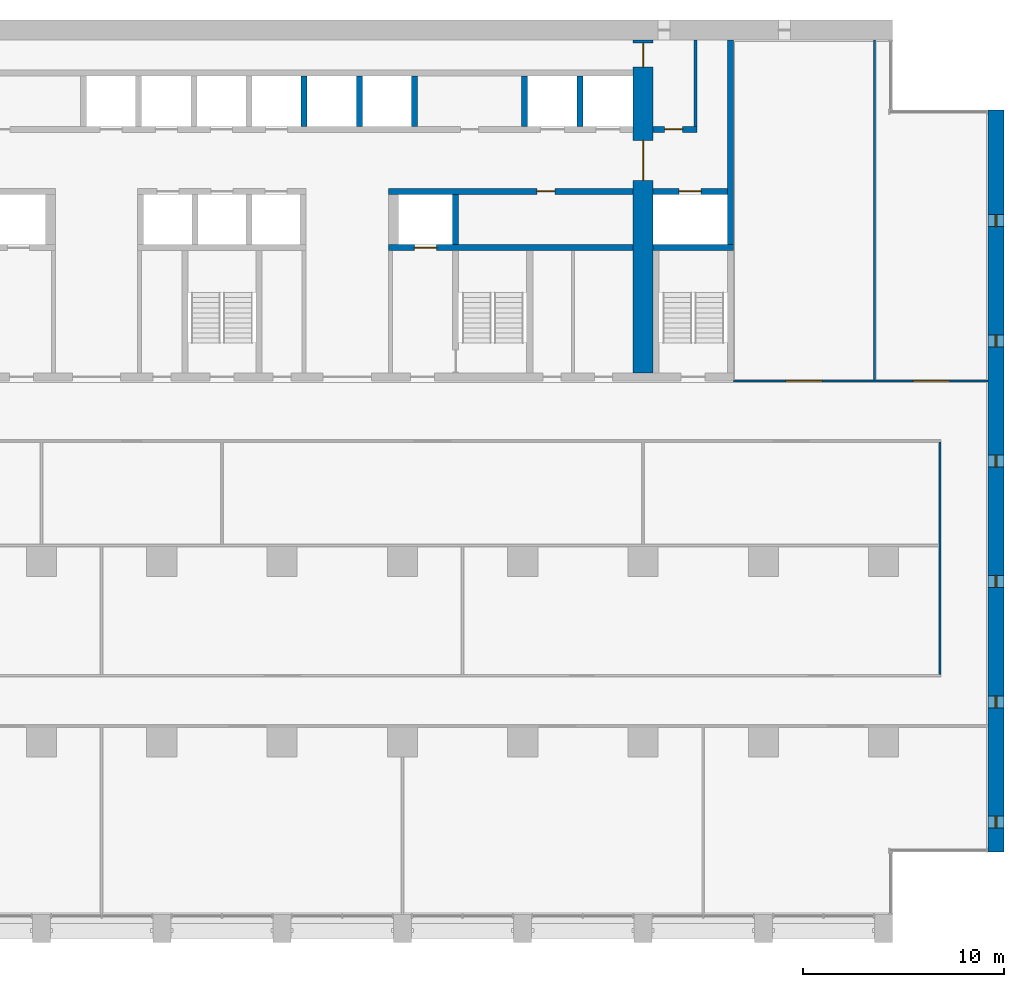
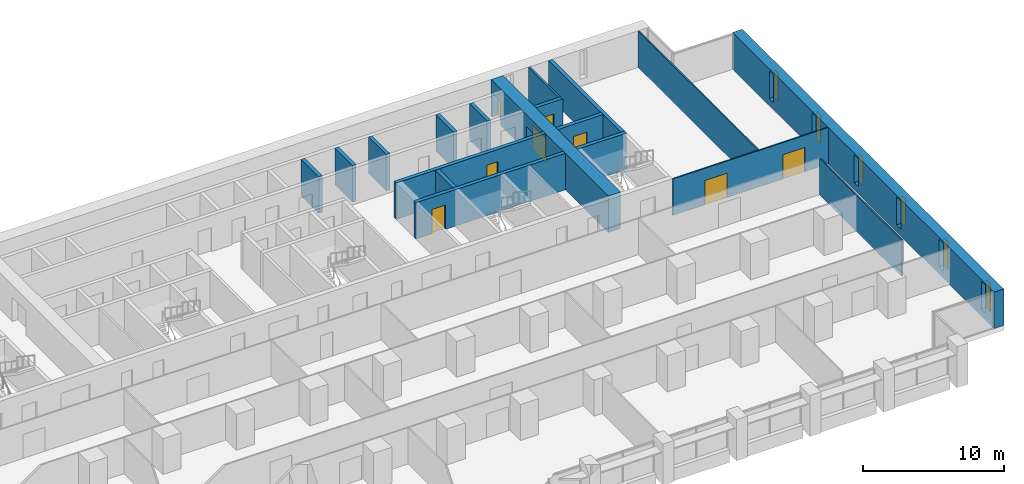
# One storey, part 13 of 18: 18 walls, 8 doors, 6 windows, 14 openings.
"""IFC4 building model written with IfcOpenShell, lengths in metres."""

from ifc_helpers import new_model, si_unit, direction, frame, frame_2d, origin, place, context, subcontext, project, spatial, rectangle, extrude, material, layer, layer_set, type_object, element, fill, save


model = new_model("IFC4")

# Units and contexts
model_context = context("Model", 3, precision=1e-05, world=origin(), true_north=direction((0.0, 1.0)))
body_context = subcontext(model_context, "Body", "Model", "MODEL_VIEW")
ifc_project = project(units=[si_unit("LENGTHUNIT", "METRE"), si_unit("AREAUNIT", "SQUARE_METRE"), si_unit("VOLUMEUNIT", "CUBIC_METRE"), si_unit("PLANEANGLEUNIT", "RADIAN"), si_unit("MASSUNIT", "GRAM", prefix="KILO")], contexts=[model_context])

# Site, building, storey
site_placement = place(None, origin())
site = spatial("IfcSite", under=ifc_project, at=site_placement, CompositionType="ELEMENT")
building_placement = place(site_placement, origin())
building = spatial("IfcBuilding", under=site, at=building_placement, Name="Calvaro Tower", CompositionType="ELEMENT")
storey_placement = place(building_placement, frame((0.0, 0.0, 86.25)))
storey = spatial("IfcBuildingStorey", under=building, at=storey_placement, Name="L21", CompositionType="ELEMENT", Elevation=86.25)

# Wall
ifc_material_1 = material(Name="Blockwork partition", Category="masonry")
ifc_layer_1 = layer(ifc_material_1, 0.14990234375)
ifc_layer_set_1 = layer_set([ifc_layer_1], Name="Blockwork partition")
wall_type_1 = type_object("IfcWallType", Name="Core partition 150 REI 120", PredefinedType="PARTITIONING", material=ifc_layer_set_1)
wall_1_placement = place(storey_placement, frame((62.625, 40.699951171875, 0.0), z_axis=(0.0, 0.0, 1.0), x_axis=(0.0, 1.0, 0.0)))
element("IfcWall", 1, at=wall_1_placement, inside=storey, type_object=wall_type_1, Name="Core partition", PredefinedType="PARTITIONING", context=body_context, shape_type="SweptSolid", body=[
    extrude(rectangle(XDim=4.300048828125, YDim=0.14990234375, at=frame_2d((2.14990234375, 0.0))), origin(), (0.0, 0.0, 1.0), 3.14990234375),
])

# Wall, opening, door
ifc_material_2 = material(Name="Blockwork partition", Category="masonry")
ifc_layer_2 = layer(ifc_material_2, 0.300048828125)
ifc_layer_set_2 = layer_set([ifc_layer_2], Name="Blockwork partition")
wall_type_2 = type_object("IfcWallType", Name="Core partition 300 REI 120", PredefinedType="PARTITIONING", material=ifc_layer_set_2)
wall_2_placement = place(storey_placement, frame((60.5, 40.550048828125, 0.0), z_axis=(0.0, 0.0, 1.0), x_axis=(1.0, 0.0, 0.0)))
wall_2 = element("IfcWall", 2, at=wall_2_placement, inside=storey, type_object=wall_type_2, Name="Core partition", PredefinedType="PARTITIONING", context=body_context, shape_type="SweptSolid", body=[
    extrude(rectangle(XDim=2.199951171875, YDim=0.300048828125, at=frame_2d((1.10009765625, 0.0))), origin(), (0.0, 0.0, 1.0), 3.14990234375),
])
opening_1_placement = place(wall_2_placement, frame((0.574951171875, 0.0, 0.0)))
opening_1 = element("IfcOpeningElement", 3, at=opening_1_placement, cuts=wall_2, Name="Opening RD9E", PredefinedType="OPENING", context=body_context, shape_type="SweptSolid", body=[
    extrude(rectangle(XDim=0.89990234375, YDim=2.10009765625, at=frame_2d((0.449951171875, 1.050048828125))), frame((0.0, 0.159912109375, 0.0), z_axis=(0.0, -1.0, 0.0), x_axis=(1.0, 0.0, 0.0)), (0.0, 0.0, 1.0), 0.320068359375),
])
ifc_material_3 = material(Name="Steel door set", Category="steel")
door_type_1 = type_object("IfcDoorType", Name="Room door 900 FD60", OperationType="SINGLE_SWING_LEFT", PredefinedType="DOOR", material=ifc_material_3)
door_1_placement = place(opening_1_placement, origin())
door_1 = element("IfcDoor", 4, at=door_1_placement, inside=storey, type_object=door_type_1, Name="Room door", OperationType="SINGLE_SWING_LEFT", OverallHeight=2.10009765625, OverallWidth=0.89990234375, PredefinedType="DOOR", context=body_context, shape_type="SweptSolid", body=[
    extrude(rectangle(XDim=0.89990234375, YDim=2.10009765625, at=frame_2d((0.449951171875, 1.050048828125))), frame((0.0, 0.02490234375, 0.0), z_axis=(0.0, -1.0, 0.0), x_axis=(1.0, 0.0, 0.0)), (0.0, 0.0, 1.0), 0.050048828125),
])
fill(opening_1, door_1)

# Wall, openings, doors
ifc_material_4 = material(Name="Concrete C80/95", Category="concrete")
ifc_layer_3 = layer(ifc_material_4, 1.0)
ifc_layer_set_3 = layer_set([ifc_layer_3], Name="Concrete C80/95")
wall_type_3 = type_object("IfcWallType", Name="Core wall C80/95 1000", PredefinedType="SHEAR", material=ifc_layer_set_3)
wall_3_placement = place(storey_placement, frame((60.0, 28.39990234375, 0.0), z_axis=(0.0, 0.0, 1.0), x_axis=(0.0, 1.0, 0.0)))
wall_3 = element("IfcWall", 5, at=wall_3_placement, inside=storey, type_object=wall_type_3, Name="Core wall, cross shear wall", PredefinedType="SHEAR", context=body_context, shape_type="SweptSolid", body=[
    extrude(rectangle(XDim=16.60009765625, YDim=1.0, at=frame_2d((8.300048828125, 0.0))), origin(), (0.0, 0.0, 1.0), 3.14990234375),
])
opening_2_placement = place(wall_3_placement, frame((9.60009765625, 0.0, 0.0)))
opening_2 = element("IfcOpeningElement", 6, at=opening_2_placement, cuts=wall_3, Name="Opening DD20D", PredefinedType="OPENING", context=body_context, shape_type="SweptSolid", body=[
    extrude(rectangle(XDim=2.0, YDim=2.10009765625, at=frame_2d((1.0, 1.050048828125))), frame((0.0, 0.510009765625, 0.0), z_axis=(0.0, -1.0, 0.0), x_axis=(1.0, 0.0, 0.0)), (0.0, 0.0, 1.0), 1.02001953125),
])
opening_3_placement = place(wall_3_placement, frame((15.25, 0.0, 0.0)))
opening_3 = element("IfcOpeningElement", 7, at=opening_3_placement, cuts=wall_3, Name="Opening FD12C", PredefinedType="OPENING", context=body_context, shape_type="SweptSolid", body=[
    extrude(rectangle(XDim=1.199951171875, YDim=2.10009765625, at=frame_2d((0.60009765625, 1.050048828125))), frame((0.0, 0.510009765625, 0.0), z_axis=(0.0, -1.0, 0.0), x_axis=(1.0, 0.0, 0.0)), (0.0, 0.0, 1.0), 1.02001953125),
])
ifc_material_5 = material(Name="Steel door set", Category="steel")
door_type_2 = type_object("IfcDoorType", Name="Fire door 1200 FD30", OperationType="SINGLE_SWING_LEFT", PredefinedType="DOOR", material=ifc_material_5)
door_2_placement = place(opening_3_placement, origin())
door_2 = element("IfcDoor", 8, at=door_2_placement, inside=storey, type_object=door_type_2, Name="Fire door", OperationType="SINGLE_SWING_LEFT", OverallHeight=2.10009765625, OverallWidth=1.199951171875, PredefinedType="DOOR", context=body_context, shape_type="SweptSolid", body=[
    extrude(rectangle(XDim=1.199951171875, YDim=2.10009765625, at=frame_2d((0.60009765625, 1.050048828125))), frame((0.0, 0.02490234375, 0.0), z_axis=(0.0, -1.0, 0.0), x_axis=(1.0, 0.0, 0.0)), (0.0, 0.0, 1.0), 0.050048828125),
])
fill(opening_3, door_2)
ifc_material_6 = material(Name="Steel door set", Category="steel")
door_type_3 = type_object("IfcDoorType", Name="Lobby double door 2000 FD30S", OperationType="DOUBLE_DOOR_SINGLE_SWING", PredefinedType="DOOR", material=ifc_material_6)
door_3_placement = place(opening_2_placement, origin())
door_3 = element("IfcDoor", 9, at=door_3_placement, inside=storey, type_object=door_type_3, Name="Lobby double door", OperationType="DOUBLE_DOOR_SINGLE_SWING", OverallHeight=2.10009765625, OverallWidth=2.0, PredefinedType="DOOR", context=body_context, shape_type="SweptSolid", body=[
    extrude(rectangle(XDim=2.0, YDim=2.10009765625, at=frame_2d((1.0, 1.050048828125))), frame((0.0, 0.02490234375, 0.0), z_axis=(0.0, -1.0, 0.0), x_axis=(1.0, 0.0, 0.0)), (0.0, 0.0, 1.0), 0.050048828125),
])
fill(opening_2, door_3)

# Wall
ifc_material_7 = material(Name="Concrete C80/95", Category="concrete")
ifc_layer_4 = layer(ifc_material_7, 0.300048828125)
ifc_layer_set_4 = layer_set([ifc_layer_4], Name="Concrete C80/95")
wall_type_4 = type_object("IfcWallType", Name="Core wall C80/95 300", PredefinedType="SHEAR", material=ifc_layer_set_4)
wall_4_placement = place(storey_placement, frame((64.35009765625, 34.800048828125, 0.0), z_axis=(0.0, 0.0, 1.0), x_axis=(0.0, 1.0, 0.0)))
element("IfcWall", 10, at=wall_4_placement, inside=storey, type_object=wall_type_4, Name="Core wall, boundary", PredefinedType="SHEAR", context=body_context, shape_type="SweptSolid", body=[
    extrude(rectangle(XDim=10.199951171875, YDim=0.300048828125, at=frame_2d((5.10009765625, 0.0))), origin(), (0.0, 0.0, 1.0), 3.14990234375),
])

# Wall, opening, door
wall_5_placement = place(storey_placement, frame((47.300048828125, 34.64990234375, 0.0), z_axis=(0.0, 0.0, 1.0), x_axis=(1.0, 0.0, 0.0)))
wall_5 = element("IfcWall", 11, at=wall_5_placement, inside=storey, type_object=wall_type_4, Name="Core wall, lift shaft", PredefinedType="SHEAR", context=body_context, shape_type="SweptSolid", body=[
    extrude(rectangle(XDim=12.199951171875, YDim=0.300048828125, at=frame_2d((6.10009765625, 0.0))), origin(), (0.0, 0.0, 1.0), 3.14990234375),
])
opening_4_placement = place(wall_5_placement, frame((1.300048828125, 0.0, 0.0)))
opening_4 = element("IfcOpeningElement", 12, at=opening_4_placement, cuts=wall_5, Name="Opening FF2", PredefinedType="OPENING", context=body_context, shape_type="SweptSolid", body=[
    extrude(rectangle(XDim=1.10009765625, YDim=2.10009765625, at=frame_2d((0.550048828125, 1.050048828125))), frame((0.0, 0.159912109375, 0.0), z_axis=(0.0, -1.0, 0.0), x_axis=(1.0, 0.0, 0.0)), (0.0, 0.0, 1.0), 0.320068359375),
])
ifc_material_8 = material(Name="Stainless steel", Category="steel")
door_type_4 = type_object("IfcDoorType", Name="Landing door 1100 E 60", OperationType="SLIDING_TO_LEFT", PredefinedType="DOOR", material=ifc_material_8)
door_4_placement = place(opening_4_placement, origin())
door_4 = element("IfcDoor", 13, at=door_4_placement, inside=storey, type_object=door_type_4, Name="Landing door FF2", OperationType="SLIDING_TO_LEFT", OverallHeight=2.10009765625, OverallWidth=1.10009765625, PredefinedType="DOOR", context=body_context, shape_type="SweptSolid", body=[
    extrude(rectangle(XDim=1.10009765625, YDim=2.10009765625, at=frame_2d((0.550048828125, 1.050048828125))), frame((0.0, 0.02490234375, 0.0), z_axis=(0.0, -1.0, 0.0), x_axis=(1.0, 0.0, 0.0)), (0.0, 0.0, 1.0), 0.050048828125),
])
fill(opening_4, door_4)

# Wall
wall_6_placement = place(storey_placement, frame((60.5, 34.64990234375, 0.0), z_axis=(0.0, 0.0, 1.0), x_axis=(1.0, 0.0, 0.0)))
element("IfcWall", 14, at=wall_6_placement, inside=storey, type_object=wall_type_4, Name="Core wall, lift shaft", PredefinedType="SHEAR", context=body_context, shape_type="SweptSolid", body=[
    extrude(rectangle(XDim=4.0, YDim=0.300048828125, at=frame_2d((2.0, 0.0))), origin(), (0.0, 0.0, 1.0), 3.14990234375),
])

# Wall, opening, door
wall_7_placement = place(storey_placement, frame((59.5, 37.449951171875, 0.0), z_axis=(0.0, 0.0, 1.0), x_axis=(-1.0, 0.0, 0.0)))
wall_7 = element("IfcWall", 15, at=wall_7_placement, inside=storey, type_object=wall_type_4, Name="Core wall, bay", PredefinedType="SHEAR", context=body_context, shape_type="SweptSolid", body=[
    extrude(rectangle(XDim=12.199951171875, YDim=0.300048828125, at=frame_2d((6.10009765625, 0.0))), origin(), (0.0, 0.0, 1.0), 3.14990234375),
])
opening_5_placement = place(wall_7_placement, frame((3.89990234375, 0.0, 0.0)))
opening_5 = element("IfcOpeningElement", 16, at=opening_5_placement, cuts=wall_7, Name="Opening RD9C", PredefinedType="OPENING", context=body_context, shape_type="SweptSolid", body=[
    extrude(rectangle(XDim=0.89990234375, YDim=2.10009765625, at=frame_2d((0.449951171875, 1.050048828125))), frame((0.0, 0.159912109375, 0.0), z_axis=(0.0, -1.0, 0.0), x_axis=(1.0, 0.0, 0.0)), (0.0, 0.0, 1.0), 0.320068359375),
])
ifc_material_9 = material(Name="Steel door set", Category="steel")
door_type_5 = type_object("IfcDoorType", Name="Room door 900 FD30", OperationType="SINGLE_SWING_LEFT", PredefinedType="DOOR", material=ifc_material_9)
door_5_placement = place(opening_5_placement, origin())
door_5 = element("IfcDoor", 17, at=door_5_placement, inside=storey, type_object=door_type_5, Name="Room door", OperationType="SINGLE_SWING_RIGHT", OverallHeight=2.10009765625, OverallWidth=0.89990234375, PredefinedType="DOOR", context=body_context, shape_type="SweptSolid", body=[
    extrude(rectangle(XDim=0.89990234375, YDim=2.10009765625, at=frame_2d((0.449951171875, 1.050048828125))), frame((0.0, 0.02490234375, 0.0), z_axis=(0.0, -1.0, 0.0), x_axis=(1.0, 0.0, 0.0)), (0.0, 0.0, 1.0), 0.050048828125),
])
fill(opening_5, door_5)

wall_8_placement = place(storey_placement, frame((60.5, 37.449951171875, 0.0), z_axis=(0.0, 0.0, 1.0), x_axis=(1.0, 0.0, 0.0)))
wall_8 = element("IfcWall", 18, at=wall_8_placement, inside=storey, type_object=wall_type_4, Name="Core wall, lift shaft", PredefinedType="SHEAR", context=body_context, shape_type="SweptSolid", body=[
    extrude(rectangle(XDim=3.699951171875, YDim=0.300048828125, at=frame_2d((1.85009765625, 0.0))), origin(), (0.0, 0.0, 1.0), 3.14990234375),
])
opening_6_placement = place(wall_8_placement, frame((1.300048828125, 0.0, 0.0)))
opening_6 = element("IfcOpeningElement", 19, at=opening_6_placement, cuts=wall_8, Name="Opening FF3", PredefinedType="OPENING", context=body_context, shape_type="SweptSolid", body=[
    extrude(rectangle(XDim=1.10009765625, YDim=2.10009765625, at=frame_2d((0.550048828125, 1.050048828125))), frame((0.0, 0.159912109375, 0.0), z_axis=(0.0, -1.0, 0.0), x_axis=(1.0, 0.0, 0.0)), (0.0, 0.0, 1.0), 0.320068359375),
])
door_6_placement = place(opening_6_placement, origin())
door_6 = element("IfcDoor", 20, at=door_6_placement, inside=storey, type_object=door_type_4, Name="Landing door FF3", OperationType="SLIDING_TO_LEFT", OverallHeight=2.10009765625, OverallWidth=1.10009765625, PredefinedType="DOOR", context=body_context, shape_type="SweptSolid", body=[
    extrude(rectangle(XDim=1.10009765625, YDim=2.10009765625, at=frame_2d((0.550048828125, 1.050048828125))), frame((0.0, 0.02490234375, 0.0), z_axis=(0.0, -1.0, 0.0), x_axis=(1.0, 0.0, 0.0)), (0.0, 0.0, 1.0), 0.050048828125),
])
fill(opening_6, door_6)

# Walls
for number, where, z_axis, x_axis, name in (
    (21, (50.64990234375, 34.800048828125, 0.0), (0.0, 0.0, 1.0), (0.0, 1.0, 0.0), "Core wall, lift shaft"),
    (22, (43.10009765625, 40.699951171875, 0.0), (0.0, 0.0, 1.0), (0.0, 1.0, 0.0), "Core wall, lift shaft"),
    (23, (45.85009765625, 40.699951171875, 0.0), (0.0, 0.0, 1.0), (0.0, 1.0, 0.0), "Core wall, lift shaft"),
    (24, (48.60009765625, 40.699951171875, 0.0), (0.0, 0.0, 1.0), (0.0, 1.0, 0.0), "Core wall, lift shaft"),
    (25, (54.10009765625, 40.699951171875, 0.0), (0.0, 0.0, 1.0), (0.0, 1.0, 0.0), "Core wall, lift shaft"),
    (26, (56.85009765625, 40.699951171875, 0.0), (0.0, 0.0, 1.0), (0.0, 1.0, 0.0), "Core wall, lift shaft"),
):
    element("IfcWall", number, at=place(storey_placement, frame(where, z_axis=z_axis, x_axis=x_axis)), inside=storey, type_object=wall_type_4, Name=name, PredefinedType="SHEAR", context=body_context, shape_type="SweptSolid", body=[
        extrude(rectangle(XDim=2.5, YDim=0.300048828125, at=frame_2d((1.25, 0.0))), origin(), (0.0, 0.0, 1.0), 3.14990234375),
    ])

# Wall, openings, windows
ifc_material_10 = material(Name="Concrete C80/95", Category="concrete")
ifc_layer_5 = layer(ifc_material_10, 0.800048828125)
ifc_layer_set_5 = layer_set([ifc_layer_5], Name="Concrete C80/95")
wall_type_5 = type_object("IfcWallType", Name="End wall 800 C80/95", PredefinedType="SHEAR", material=ifc_layer_set_5)
wall_9_placement = place(storey_placement, frame((77.60009765625, 4.5, 0.0), z_axis=(0.0, 0.0, 1.0), x_axis=(0.0, 1.0, 0.0)))
wall_9 = element("IfcWall", 27, at=wall_9_placement, inside=storey, type_object=wall_type_5, Name="End shear wall", PredefinedType="SHEAR", context=body_context, shape_type="SweptSolid", body=[
    extrude(rectangle(XDim=37.0, YDim=0.800048828125, at=frame_2d((18.5, 0.0))), origin(), (0.0, 0.0, 1.0), 3.14990234375),
])
opening_7_placement = place(wall_9_placement, frame((1.199951171875, 0.0, 0.60009765625)))
opening_7 = element("IfcOpeningElement", 28, at=opening_7_placement, cuts=wall_9, Name="Opening WE01", PredefinedType="OPENING", context=body_context, shape_type="SweptSolid", body=[
    extrude(rectangle(XDim=0.60009765625, YDim=2.39990234375, at=frame_2d((0.300048828125, 1.199951171875))), frame((0.0, 0.409912109375, 0.0), z_axis=(0.0, -1.0, 0.0), x_axis=(1.0, 0.0, 0.0)), (0.0, 0.0, 1.0), 0.820068359375),
])
opening_8_placement = place(wall_9_placement, frame((7.199951171875, 0.0, 0.60009765625)))
opening_8 = element("IfcOpeningElement", 29, at=opening_8_placement, cuts=wall_9, Name="Opening WE02", PredefinedType="OPENING", context=body_context, shape_type="SweptSolid", body=[
    extrude(rectangle(XDim=0.60009765625, YDim=2.39990234375, at=frame_2d((0.300048828125, 1.199951171875))), frame((0.0, 0.409912109375, 0.0), z_axis=(0.0, -1.0, 0.0), x_axis=(1.0, 0.0, 0.0)), (0.0, 0.0, 1.0), 0.820068359375),
])
opening_9_placement = place(wall_9_placement, frame((13.199951171875, 0.0, 0.60009765625)))
opening_9 = element("IfcOpeningElement", 30, at=opening_9_placement, cuts=wall_9, Name="Opening WE03", PredefinedType="OPENING", context=body_context, shape_type="SweptSolid", body=[
    extrude(rectangle(XDim=0.60009765625, YDim=2.39990234375, at=frame_2d((0.300048828125, 1.199951171875))), frame((0.0, 0.409912109375, 0.0), z_axis=(0.0, -1.0, 0.0), x_axis=(1.0, 0.0, 0.0)), (0.0, 0.0, 1.0), 0.820068359375),
])
opening_10_placement = place(wall_9_placement, frame((19.199951171875, 0.0, 0.60009765625)))
opening_10 = element("IfcOpeningElement", 31, at=opening_10_placement, cuts=wall_9, Name="Opening WE04", PredefinedType="OPENING", context=body_context, shape_type="SweptSolid", body=[
    extrude(rectangle(XDim=0.60009765625, YDim=2.39990234375, at=frame_2d((0.300048828125, 1.199951171875))), frame((0.0, 0.409912109375, 0.0), z_axis=(0.0, -1.0, 0.0), x_axis=(1.0, 0.0, 0.0)), (0.0, 0.0, 1.0), 0.820068359375),
])
opening_11_placement = place(wall_9_placement, frame((25.199951171875, 0.0, 0.60009765625)))
opening_11 = element("IfcOpeningElement", 32, at=opening_11_placement, cuts=wall_9, Name="Opening WE05", PredefinedType="OPENING", context=body_context, shape_type="SweptSolid", body=[
    extrude(rectangle(XDim=0.60009765625, YDim=2.39990234375, at=frame_2d((0.300048828125, 1.199951171875))), frame((0.0, 0.409912109375, 0.0), z_axis=(0.0, -1.0, 0.0), x_axis=(1.0, 0.0, 0.0)), (0.0, 0.0, 1.0), 0.820068359375),
])
opening_12_placement = place(wall_9_placement, frame((31.199951171875, 0.0, 0.60009765625)))
opening_12 = element("IfcOpeningElement", 33, at=opening_12_placement, cuts=wall_9, Name="Opening WE06", PredefinedType="OPENING", context=body_context, shape_type="SweptSolid", body=[
    extrude(rectangle(XDim=0.60009765625, YDim=2.39990234375, at=frame_2d((0.300048828125, 1.199951171875))), frame((0.0, 0.409912109375, 0.0), z_axis=(0.0, -1.0, 0.0), x_axis=(1.0, 0.0, 0.0)), (0.0, 0.0, 1.0), 0.820068359375),
])
ifc_material_11 = material(Name="Glass", Category="glass")
window_type = type_object("IfcWindowType", Name="Slit window 600 x 2400", PartitioningType="SINGLE_PANEL", PredefinedType="WINDOW", material=ifc_material_11)
window_1_placement = place(opening_7_placement, origin())
window_1 = element("IfcWindow", 34, at=window_1_placement, inside=storey, type_object=window_type, Name="Window WE01", OverallHeight=2.39990234375, OverallWidth=0.60009765625, PartitioningType="SINGLE_PANEL", PredefinedType="WINDOW", context=body_context, shape_type="SweptSolid", body=[
    extrude(rectangle(XDim=0.60009765625, YDim=2.39990234375, at=frame_2d((0.300048828125, 1.199951171875))), frame((0.0, 0.030029296875, 0.0), z_axis=(0.0, -1.0, 0.0), x_axis=(1.0, 0.0, 0.0)), (0.0, 0.0, 1.0), 0.06005859375),
])
fill(opening_7, window_1)
window_2_placement = place(opening_8_placement, origin())
window_2 = element("IfcWindow", 35, at=window_2_placement, inside=storey, type_object=window_type, Name="Window WE02", OverallHeight=2.39990234375, OverallWidth=0.60009765625, PartitioningType="SINGLE_PANEL", PredefinedType="WINDOW", context=body_context, shape_type="SweptSolid", body=[
    extrude(rectangle(XDim=0.60009765625, YDim=2.39990234375, at=frame_2d((0.300048828125, 1.199951171875))), frame((0.0, 0.030029296875, 0.0), z_axis=(0.0, -1.0, 0.0), x_axis=(1.0, 0.0, 0.0)), (0.0, 0.0, 1.0), 0.06005859375),
])
fill(opening_8, window_2)
window_3_placement = place(opening_9_placement, origin())
window_3 = element("IfcWindow", 36, at=window_3_placement, inside=storey, type_object=window_type, Name="Window WE03", OverallHeight=2.39990234375, OverallWidth=0.60009765625, PartitioningType="SINGLE_PANEL", PredefinedType="WINDOW", context=body_context, shape_type="SweptSolid", body=[
    extrude(rectangle(XDim=0.60009765625, YDim=2.39990234375, at=frame_2d((0.300048828125, 1.199951171875))), frame((0.0, 0.030029296875, 0.0), z_axis=(0.0, -1.0, 0.0), x_axis=(1.0, 0.0, 0.0)), (0.0, 0.0, 1.0), 0.06005859375),
])
fill(opening_9, window_3)
window_4_placement = place(opening_10_placement, origin())
window_4 = element("IfcWindow", 37, at=window_4_placement, inside=storey, type_object=window_type, Name="Window WE04", OverallHeight=2.39990234375, OverallWidth=0.60009765625, PartitioningType="SINGLE_PANEL", PredefinedType="WINDOW", context=body_context, shape_type="SweptSolid", body=[
    extrude(rectangle(XDim=0.60009765625, YDim=2.39990234375, at=frame_2d((0.300048828125, 1.199951171875))), frame((0.0, 0.030029296875, 0.0), z_axis=(0.0, -1.0, 0.0), x_axis=(1.0, 0.0, 0.0)), (0.0, 0.0, 1.0), 0.06005859375),
])
fill(opening_10, window_4)
window_5_placement = place(opening_11_placement, origin())
window_5 = element("IfcWindow", 38, at=window_5_placement, inside=storey, type_object=window_type, Name="Window WE05", OverallHeight=2.39990234375, OverallWidth=0.60009765625, PartitioningType="SINGLE_PANEL", PredefinedType="WINDOW", context=body_context, shape_type="SweptSolid", body=[
    extrude(rectangle(XDim=0.60009765625, YDim=2.39990234375, at=frame_2d((0.300048828125, 1.199951171875))), frame((0.0, 0.030029296875, 0.0), z_axis=(0.0, -1.0, 0.0), x_axis=(1.0, 0.0, 0.0)), (0.0, 0.0, 1.0), 0.06005859375),
])
fill(opening_11, window_5)
window_6_placement = place(opening_12_placement, origin())
window_6 = element("IfcWindow", 39, at=window_6_placement, inside=storey, type_object=window_type, Name="Window WE06", OverallHeight=2.39990234375, OverallWidth=0.60009765625, PartitioningType="SINGLE_PANEL", PredefinedType="WINDOW", context=body_context, shape_type="SweptSolid", body=[
    extrude(rectangle(XDim=0.60009765625, YDim=2.39990234375, at=frame_2d((0.300048828125, 1.199951171875))), frame((0.0, 0.030029296875, 0.0), z_axis=(0.0, -1.0, 0.0), x_axis=(1.0, 0.0, 0.0)), (0.0, 0.0, 1.0), 0.06005859375),
])
fill(opening_12, window_6)

# Wall, openings, doors
ifc_material_12 = material(Name="Plasterboard on steel studs", Category="steel")
ifc_layer_6 = layer(ifc_material_12, 0.10009765625)
ifc_layer_set_6 = layer_set([ifc_layer_6], Name="Plasterboard on steel studs")
wall_type_6 = type_object("IfcWallType", Name="Partition 100", PredefinedType="PARTITIONING", material=ifc_layer_set_6)
wall_10_placement = place(storey_placement, frame((64.5, 28.0, 0.0), z_axis=(0.0, 0.0, 1.0), x_axis=(1.0, 0.0, 0.0)))
wall_10 = element("IfcWall", 40, at=wall_10_placement, inside=storey, type_object=wall_type_6, Name="Partition T14.W006", PredefinedType="PARTITIONING", context=body_context, shape_type="SweptSolid", body=[
    extrude(rectangle(XDim=12.699951171875, YDim=0.10009765625, at=frame_2d((6.35009765625, 0.0))), origin(), (0.0, 0.0, 1.0), 3.14990234375),
])
opening_13_placement = place(wall_10_placement, frame((8.97509765625, 0.0, 0.0)))
opening_13 = element("IfcOpeningElement", 41, at=opening_13_placement, cuts=wall_10, Name="Opening T14.017", PredefinedType="OPENING", context=body_context, shape_type="SweptSolid", body=[
    extrude(rectangle(XDim=1.800048828125, YDim=2.10009765625, at=frame_2d((0.89990234375, 1.050048828125))), frame((0.0, 0.06005859375, 0.0), z_axis=(0.0, -1.0, 0.0), x_axis=(1.0, 0.0, 0.0)), (0.0, 0.0, 1.0), 0.1201171875),
])
opening_14_placement = place(wall_10_placement, frame((2.625, 0.0, 0.0)))
opening_14 = element("IfcOpeningElement", 42, at=opening_14_placement, cuts=wall_10, Name="Opening T14.019", PredefinedType="OPENING", context=body_context, shape_type="SweptSolid", body=[
    extrude(rectangle(XDim=1.800048828125, YDim=2.10009765625, at=frame_2d((0.89990234375, 1.050048828125))), frame((0.0, 0.06005859375, 0.0), z_axis=(0.0, -1.0, 0.0), x_axis=(1.0, 0.0, 0.0)), (0.0, 0.0, 1.0), 0.1201171875),
])
ifc_material_13 = material(Name="Timber", Category="wood")
door_type_6 = type_object("IfcDoorType", Name="Internal double door 1800 x 2100", OperationType="DOUBLE_DOOR_SINGLE_SWING", PredefinedType="DOOR", material=ifc_material_13)
door_7_placement = place(opening_13_placement, origin())
door_7 = element("IfcDoor", 43, at=door_7_placement, inside=storey, type_object=door_type_6, Name="Door T14.017", OperationType="DOUBLE_DOOR_SINGLE_SWING", OverallHeight=2.10009765625, OverallWidth=1.800048828125, PredefinedType="DOOR", context=body_context, shape_type="SweptSolid", body=[
    extrude(rectangle(XDim=1.800048828125, YDim=2.10009765625, at=frame_2d((0.89990234375, 1.050048828125))), frame((0.0, 0.02490234375, 0.0), z_axis=(0.0, -1.0, 0.0), x_axis=(1.0, 0.0, 0.0)), (0.0, 0.0, 1.0), 0.050048828125),
])
fill(opening_13, door_7)
door_8_placement = place(opening_14_placement, origin())
door_8 = element("IfcDoor", 44, at=door_8_placement, inside=storey, type_object=door_type_6, Name="Door T14.019", OperationType="DOUBLE_DOOR_SINGLE_SWING", OverallHeight=2.10009765625, OverallWidth=1.800048828125, PredefinedType="DOOR", context=body_context, shape_type="SweptSolid", body=[
    extrude(rectangle(XDim=1.800048828125, YDim=2.10009765625, at=frame_2d((0.89990234375, 1.050048828125))), frame((0.0, 0.02490234375, 0.0), z_axis=(0.0, -1.0, 0.0), x_axis=(1.0, 0.0, 0.0)), (0.0, 0.0, 1.0), 0.050048828125),
])
fill(opening_14, door_8)

# Walls
wall_11_placement = place(storey_placement, frame((71.550048828125, 28.050048828125, 0.0), z_axis=(0.0, 0.0, 1.0), x_axis=(0.0, 1.0, 0.0)))
element("IfcWall", 45, at=wall_11_placement, inside=storey, type_object=wall_type_6, Name="Partition T14.W020", PredefinedType="PARTITIONING", context=body_context, shape_type="SweptSolid", body=[
    extrude(rectangle(XDim=16.949951171875, YDim=0.10009765625, at=frame_2d((8.47509765625, 0.0))), origin(), (0.0, 0.0, 1.0), 3.14990234375),
])
wall_12_placement = place(storey_placement, frame((74.800048828125, 13.35009765625, 0.0), z_axis=(0.0, 0.0, 1.0), x_axis=(0.0, 1.0, 0.0)))
element("IfcWall", 46, at=wall_12_placement, inside=storey, type_object=wall_type_6, Name="Partition T14.W021", PredefinedType="PARTITIONING", context=body_context, shape_type="SweptSolid", body=[
    extrude(rectangle(XDim=11.599853515625, YDim=0.10009765625, at=frame_2d((5.7998046875, 0.0))), origin(), (0.0, 0.0, 1.0), 3.14990234375),
])

save(model, "model.ifc")
